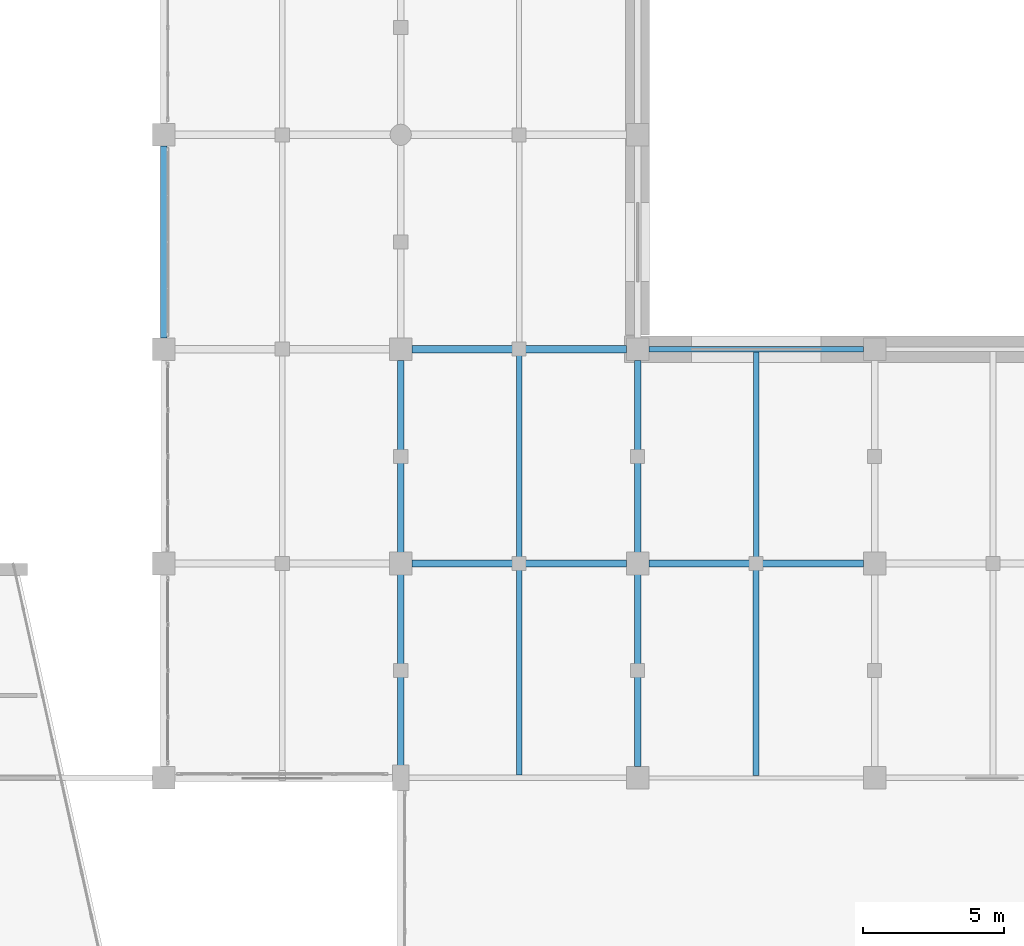
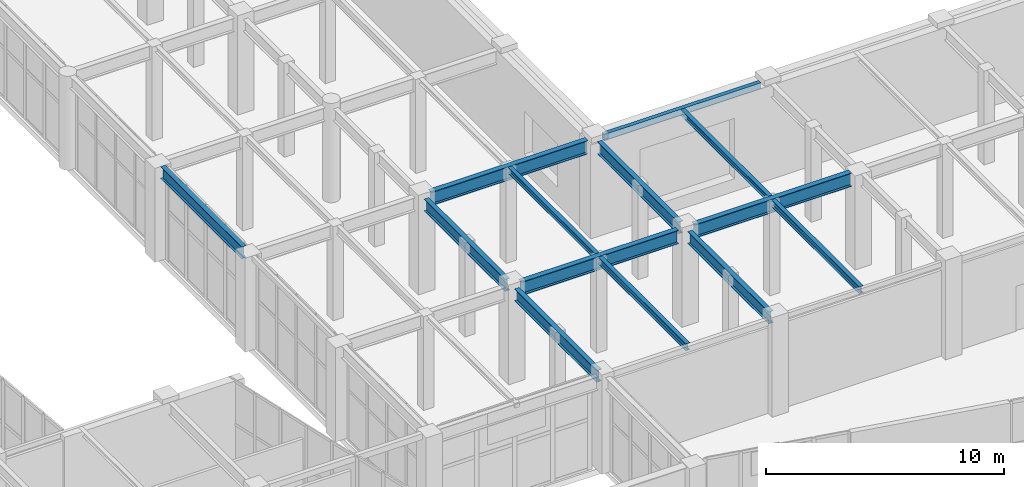
# One storey, part 29 of 128: 13 beams.
"""IFC4 building model written with IfcOpenShell, lengths in metres."""

from ifc_helpers import new_model, si_unit, direction, frame, origin, origin_2d, place, context, subcontext, project, spatial, hollow_rectangle, i_section, extrude, material, material_profile, profile_set, type_object, element, save


model = new_model("IFC4")

# Units and contexts
model_context = context("Model", 3, precision=1e-05, world=origin(), true_north=direction((0.0, 1.0)))
body_context = subcontext(model_context, "Body", "Model", "MODEL_VIEW")
ifc_project = project(units=[si_unit("LENGTHUNIT", "METRE"), si_unit("AREAUNIT", "SQUARE_METRE"), si_unit("VOLUMEUNIT", "CUBIC_METRE"), si_unit("PLANEANGLEUNIT", "RADIAN"), si_unit("MASSUNIT", "GRAM", prefix="KILO")], contexts=[model_context])

# Site, building, storey
site_placement = place(None, origin())
site = spatial("IfcSite", under=ifc_project, at=site_placement, CompositionType="ELEMENT")
building_placement = place(site_placement, origin())
building = spatial("IfcBuilding", under=site, at=building_placement, Name="Xicomal Pleat Aquarium", CompositionType="ELEMENT")
storey_placement = place(building_placement, frame((0.0, 0.0, 5.39990234375)))
storey = spatial("IfcBuildingStorey", under=building, at=storey_placement, Name="L02", CompositionType="ELEMENT", Elevation=5.39990234375)

# Beams
ifc_material_1 = material(Name="Structural steel A992 Gr 50", Category="steel")
ifc_material_profile_1 = material_profile(ifc_material_1, i_section(OverallWidth=0.202880859375, OverallDepth=0.302978515625, WebThickness=0.007568359375, FlangeThickness=0.01318359375, at=origin_2d()), Name="IR 310x60")
ifc_profile_set_1 = profile_set([ifc_material_profile_1], Name="Structural steel A992 Gr 50")
beam_type_1 = type_object("IfcBeamType", Name="BM-STL-IR310", PredefinedType="JOIST", material=ifc_profile_set_1)
beam_1_placement = place(storey_placement, frame((56.39990234375, 38.131103515625, 4.668701171875), z_axis=(0.0, 1.0, 0.0), x_axis=(-1.0, 0.0, 0.0)))
element("IfcBeam", 1, at=beam_1_placement, inside=storey, type_object=beam_type_1, Name="L02 framing beam FBJ-L02-07-F-1", PredefinedType="JOIST", context=body_context, shape_type="SweptSolid", body=[
    extrude(i_section(OverallWidth=0.202880859375, OverallDepth=0.302978515625, WebThickness=0.007568359375, FlangeThickness=0.01318359375, at=origin_2d()), origin(), (0.0, 0.0, 1.0), 7.337890625),
])
beam_2_placement = place(storey_placement, frame((64.800048828125, 38.131103515625, 4.668701171875), z_axis=(0.0, 1.0, 0.0), x_axis=(-1.0, 0.0, 0.0)))
element("IfcBeam", 2, at=beam_2_placement, inside=storey, type_object=beam_type_1, Name="L02 framing beam FBJ-L02-08-F-1", PredefinedType="JOIST", context=body_context, shape_type="SweptSolid", body=[
    extrude(i_section(OverallWidth=0.202880859375, OverallDepth=0.302978515625, WebThickness=0.007568359375, FlangeThickness=0.01318359375, at=origin_2d()), origin(), (0.0, 0.0, 1.0), 7.365966796875),
])
ifc_material_2 = material(Name="Structural steel A992 Gr 50", Category="steel")
ifc_material_profile_2 = material_profile(ifc_material_2, i_section(OverallWidth=0.205078125, OverallDepth=0.35400390625, WebThickness=0.009521484375, FlangeThickness=0.016845703125, at=origin_2d()), Name="IR 360x79")
ifc_profile_set_2 = profile_set([ifc_material_profile_2], Name="Structural steel A992 Gr 50")
beam_type_2 = type_object("IfcBeamType", Name="BM-STL-IR360", PredefinedType="JOIST", material=ifc_profile_set_2)
beam_3_placement = place(storey_placement, frame((56.39990234375, 30.5029296875, 4.64306640625), z_axis=(0.0, 1.0, 0.0), x_axis=(-1.0, 0.0, 0.0)))
element("IfcBeam", 3, at=beam_3_placement, inside=storey, type_object=beam_type_2, Name="L02 framing beam FBJ-L02-07-E-1", PredefinedType="JOIST", context=body_context, shape_type="SweptSolid", body=[
    extrude(i_section(OverallWidth=0.205078125, OverallDepth=0.35400390625, WebThickness=0.009521484375, FlangeThickness=0.016845703125, at=origin_2d()), origin(), (0.0, 0.0, 1.0), 7.365966796875),
])
beam_4_placement = place(storey_placement, frame((64.800048828125, 30.47802734375, 4.64306640625), z_axis=(0.0, 1.0, 0.0), x_axis=(-1.0, 0.0, 0.0)))
element("IfcBeam", 4, at=beam_4_placement, inside=storey, type_object=beam_type_2, Name="L02 framing beam FBJ-L02-08-E-1", PredefinedType="JOIST", context=body_context, shape_type="SweptSolid", body=[
    extrude(i_section(OverallWidth=0.205078125, OverallDepth=0.35400390625, WebThickness=0.009521484375, FlangeThickness=0.016845703125, at=origin_2d()), origin(), (0.0, 0.0, 1.0), 7.390869140625),
])
ifc_material_3 = material(Name="Structural steel A992 Gr 50", Category="steel")
ifc_material_profile_3 = material_profile(ifc_material_3, i_section(OverallWidth=0.22998046875, OverallDepth=0.616943359375, WebThickness=0.01318359375, FlangeThickness=0.022216796875, at=origin_2d()), Name="IR 610x140")
ifc_profile_set_3 = profile_set([ifc_material_profile_3], Name="Structural steel A992 Gr 50")
beam_type_3 = type_object("IfcBeamType", Name="BM-STL-IR610", PredefinedType="BEAM", material=ifc_profile_set_3)
beam_5_placement = place(storey_placement, frame((43.800048828125, 45.9951171875, 4.51171875), z_axis=(0.0, 1.0, 0.0), x_axis=(-1.0, 0.0, 0.0)))
element("IfcBeam", 5, at=beam_5_placement, inside=storey, type_object=beam_type_3, Name="L02 framing beam FGY-L02-06-G-H", PredefinedType="BEAM", context=body_context, shape_type="SweptSolid", body=[
    extrude(i_section(OverallWidth=0.22998046875, OverallDepth=0.616943359375, WebThickness=0.01318359375, FlangeThickness=0.022216796875, at=origin_2d()), origin(), (0.0, 0.0, 1.0), 6.809814453125),
])
beam_6_placement = place(storey_placement, frame((52.199951171875, 30.695068359375, 4.51171875), z_axis=(0.0, 1.0, 0.0), x_axis=(-1.0, 0.0, 0.0)))
element("IfcBeam", 6, at=beam_6_placement, inside=storey, type_object=beam_type_3, Name="L02 framing beam FGY-L02-07-E-F", PredefinedType="BEAM", context=body_context, shape_type="SweptSolid", body=[
    extrude(i_section(OverallWidth=0.22998046875, OverallDepth=0.616943359375, WebThickness=0.01318359375, FlangeThickness=0.022216796875, at=origin_2d()), origin(), (0.0, 0.0, 1.0), 6.909912109375),
])
for number, where, z_axis, x_axis, name in (
    (7, (52.199951171875, 38.39501953125, 4.51171875), (0.0, 1.0, 0.0), (-1.0, 0.0, 0.0), "L02 framing beam FGY-L02-07-F-G"),
    (8, (60.60009765625, 30.794921875, 4.51171875), (0.0, 1.0, 0.0), (-1.0, 0.0, 0.0), "L02 framing beam FGY-L02-08-E-F"),
    (9, (60.60009765625, 38.39501953125, 4.51171875), (0.0, 1.0, 0.0), (-1.0, 0.0, 0.0), "L02 framing beam FGY-L02-08-F-G"),
):
    element("IfcBeam", number, at=place(storey_placement, frame(where, z_axis=z_axis, x_axis=x_axis)), inside=storey, type_object=beam_type_3, Name=name, PredefinedType="BEAM", context=body_context, shape_type="SweptSolid", body=[
        extrude(i_section(OverallWidth=0.22998046875, OverallDepth=0.616943359375, WebThickness=0.01318359375, FlangeThickness=0.022216796875, at=origin_2d()), origin(), (0.0, 0.0, 1.0), 6.81005859375),
    ])
ifc_material_4 = material(Name="Structural steel A992 Gr 50", Category="steel")
ifc_material_profile_4 = material_profile(ifc_material_4, i_section(OverallWidth=0.256103515625, OverallDepth=0.693115234375, WebThickness=0.014404296875, FlangeThickness=0.023681640625, at=origin_2d()), Name="IR 690x170")
ifc_profile_set_4 = profile_set([ifc_material_profile_4], Name="Structural steel A992 Gr 50")
beam_type_4 = type_object("IfcBeamType", Name="BM-STL-IR690", PredefinedType="BEAM", material=ifc_profile_set_4)
beam_7_placement = place(storey_placement, frame((52.594970703125, 38.0, 4.4736328125), z_axis=(1.0, 0.0, 0.0), x_axis=(0.0, 1.0, 0.0)))
element("IfcBeam", 10, at=beam_7_placement, inside=storey, type_object=beam_type_4, Name="L02 framing beam FGX-L02-07-08-F", PredefinedType="BEAM", context=body_context, shape_type="SweptSolid", body=[
    extrude(i_section(OverallWidth=0.256103515625, OverallDepth=0.693115234375, WebThickness=0.014404296875, FlangeThickness=0.023681640625, at=origin_2d()), origin(), (0.0, 0.0, 1.0), 7.610107421875),
])
beam_8_placement = place(storey_placement, frame((60.9951171875, 38.0, 4.4736328125), z_axis=(1.0, 0.0, 0.0), x_axis=(0.0, 1.0, 0.0)))
element("IfcBeam", 11, at=beam_8_placement, inside=storey, type_object=beam_type_4, Name="L02 framing beam FGX-L02-08-09-F", PredefinedType="BEAM", context=body_context, shape_type="SweptSolid", body=[
    extrude(i_section(OverallWidth=0.256103515625, OverallDepth=0.693115234375, WebThickness=0.014404296875, FlangeThickness=0.023681640625, at=origin_2d()), origin(), (0.0, 0.0, 1.0), 7.60986328125),
])
beam_9_placement = place(storey_placement, frame((52.594970703125, 45.60009765625, 4.4736328125), z_axis=(1.0, 0.0, 0.0), x_axis=(0.0, 1.0, 0.0)))
element("IfcBeam", 12, at=beam_9_placement, inside=storey, type_object=beam_type_4, Name="L02 framing beam FGX-L02-07-08-G", PredefinedType="BEAM", context=body_context, shape_type="SweptSolid", body=[
    extrude(i_section(OverallWidth=0.256103515625, OverallDepth=0.693115234375, WebThickness=0.014404296875, FlangeThickness=0.023681640625, at=origin_2d()), origin(), (0.0, 0.0, 1.0), 7.610107421875),
])
ifc_material_5 = material(Name="Structural steel A500 Gr C", Category="steel")
ifc_material_profile_5 = material_profile(ifc_material_5, hollow_rectangle(XDim=0.199951171875, YDim=0.300048828125, WallThickness=0.011962890625, at=origin_2d()), Name="OR 300x200x12")
ifc_profile_set_5 = profile_set([ifc_material_profile_5], Name="Structural steel A500 Gr C")
beam_type_5 = type_object("IfcBeamType", Name="BM-STL-OR300", PredefinedType="SPANDREL", material=ifc_profile_set_5)
beam_10_placement = place(storey_placement, frame((60.9951171875, 45.60009765625, 4.670166015625), z_axis=(1.0, 0.0, 0.0), x_axis=(0.0, 1.0, 0.0)))
element("IfcBeam", 13, at=beam_10_placement, inside=storey, type_object=beam_type_5, Name="L02 framing beam FGX-L02-08-09-G", PredefinedType="SPANDREL", context=body_context, shape_type="SweptSolid", body=[
    extrude(hollow_rectangle(XDim=0.199951171875, YDim=0.300048828125, WallThickness=0.011962890625, at=origin_2d()), origin(), (0.0, 0.0, 1.0), 7.60986328125),
])

save(model, "model.ifc")
